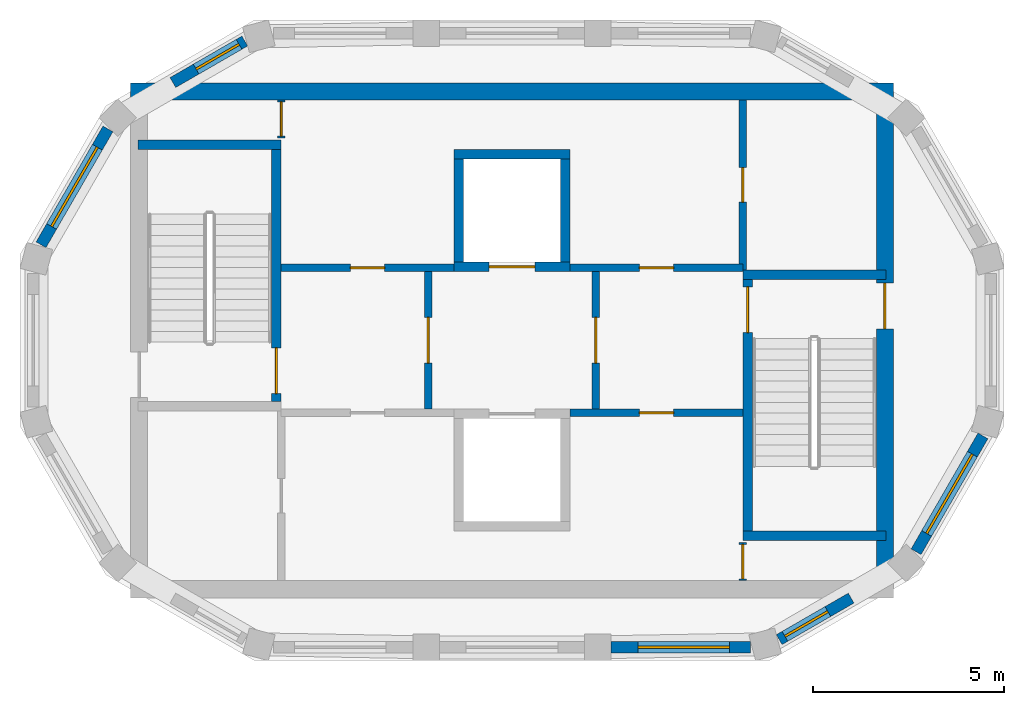
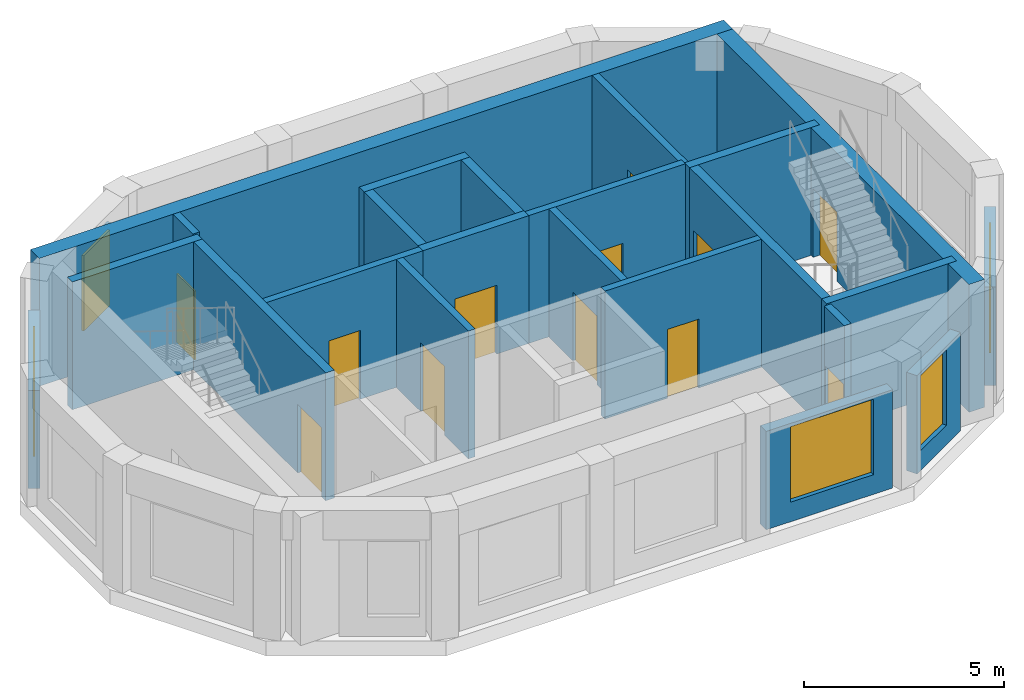
# One storey, part 2 of 4: 24 walls, 12 doors, 5 windows, 17 openings.
"""IFC4 building model written with IfcOpenShell, lengths in metres."""

from ifc_helpers import new_model, si_unit, direction, frame, frame_2d, origin, place, context, subcontext, project, spatial, polyline, rectangle, outline, extrude, material, layer, layer_set, type_object, element, fill, save


model = new_model("IFC4")

# Units and contexts
model_context = context("Model", 3, precision=1e-05, world=origin(), true_north=direction((0.0, 1.0)))
body_context = subcontext(model_context, "Body", "Model", "MODEL_VIEW")
ifc_project = project(units=[si_unit("LENGTHUNIT", "METRE"), si_unit("AREAUNIT", "SQUARE_METRE"), si_unit("VOLUMEUNIT", "CUBIC_METRE"), si_unit("PLANEANGLEUNIT", "RADIAN"), si_unit("MASSUNIT", "GRAM", prefix="KILO")], contexts=[model_context])

# Site, building, storey
site_placement = place(None, origin())
site = spatial("IfcSite", under=ifc_project, at=site_placement, CompositionType="ELEMENT")
building_placement = place(site_placement, origin())
building = spatial("IfcBuilding", under=site, at=building_placement, Name="Dhurran Vertical Campus", CompositionType="ELEMENT")
storey_placement = place(building_placement, frame((0.0, 0.0, 336.89990234375)))
storey = spatial("IfcBuildingStorey", under=building, at=storey_placement, Name="L82 Plant", CompositionType="ELEMENT", Elevation=336.89990234375)

# Wall, opening, window
ifc_material_1 = material(Name="Precast concrete C50/60", Category="concrete")
ifc_layer_1 = layer(ifc_material_1, 0.300048828125)
ifc_layer_set_1 = layer_set([ifc_layer_1], Name="Precast concrete C50/60")
wall_type_1 = type_object("IfcWallType", Name="Precast louvre-bay wall 300", PredefinedType="SOLIDWALL", material=ifc_layer_set_1)
wall_1_placement = place(storey_placement, frame((2.6005859375, -8.047119140625, 0.0), z_axis=(0.0, 0.0, 1.0), x_axis=(1.0, 0.0, 0.0)))
wall_1 = element("IfcWall", 1, at=wall_1_placement, inside=storey, type_object=wall_type_1, Name="EW3 L82.02", PredefinedType="SOLIDWALL", context=body_context, shape_type="SweptSolid", body=[
    extrude(rectangle(XDim=3.65283203125, YDim=0.300048828125, at=frame_2d((1.826416015625, 0.0))), origin(), (0.0, 0.0, 1.0), 3.0),
])
opening_1_placement = place(wall_1_placement, frame((0.699462890625, 0.0, 0.60009765625)))
opening_1 = element("IfcOpeningElement", 2, at=opening_1_placement, cuts=wall_1, Name="Opening WT4", PredefinedType="OPENING", context=body_context, shape_type="SweptSolid", body=[
    extrude(rectangle(XDim=2.39990234375, YDim=2.300048828125, at=frame_2d((1.199951171875, 1.14990234375))), frame((0.0, 0.159912109375, 0.0), z_axis=(0.0, -1.0, 0.0), x_axis=(1.0, 0.0, 0.0)), (0.0, 0.0, 1.0), 0.320068359375),
])
ifc_material_2 = material(Name="Aluminium louvre", Category="aluminium")
window_type_1 = type_object("IfcWindowType", Name="Louvred plant vent 2400 x 2300", PartitioningType="SINGLE_PANEL", PredefinedType="WINDOW", material=ifc_material_2)
window_1_placement = place(opening_1_placement, origin())
window_1 = element("IfcWindow", 3, at=window_1_placement, inside=storey, type_object=window_type_1, Name="WT4 L82.02", OverallHeight=2.300048828125, OverallWidth=2.39990234375, PartitioningType="SINGLE_PANEL", PredefinedType="WINDOW", context=body_context, shape_type="SweptSolid", body=[
    extrude(rectangle(XDim=2.39990234375, YDim=2.300048828125, at=frame_2d((1.199951171875, 1.14990234375))), frame((0.0, 0.030029296875, 0.0), z_axis=(0.0, -1.0, 0.0), x_axis=(1.0, 0.0, 0.0)), (0.0, 0.0, 1.0), 0.06005859375),
])
fill(opening_1, window_1)

wall_2_placement = place(storey_placement, frame((7.0048828125, -7.845703125, 0.0), z_axis=(0.0, 0.0, 1.0), x_axis=(0.866060442015, 0.499939307093, 0.0)))
wall_2 = element("IfcWall", 4, at=wall_2_placement, inside=storey, type_object=wall_type_1, Name="EW3 L82.03", PredefinedType="SOLIDWALL", context=body_context, shape_type="SweptSolid", body=[
    extrude(rectangle(XDim=2.176513671875, YDim=0.300048828125, at=frame_2d((1.08837890625, 0.0))), origin(), (0.0, 0.0, 1.0), 3.0),
])
opening_2_placement = place(wall_2_placement, frame((0.172607421875, 0.0, 0.60009765625)))
opening_2 = element("IfcOpeningElement", 5, at=opening_2_placement, cuts=wall_2, Name="Opening WT4", PredefinedType="OPENING", context=body_context, shape_type="SweptSolid", body=[
    extrude(rectangle(XDim=1.300048828125, YDim=2.300048828125, at=frame_2d((0.64990234375, 1.14990234375))), frame((0.0, 0.159912109375, 0.0), z_axis=(0.0, -1.0, 0.0), x_axis=(1.0, 0.0, 0.0)), (0.0, 0.0, 1.0), 0.320068359375),
])
ifc_material_3 = material(Name="Aluminium louvre", Category="aluminium")
window_type_2 = type_object("IfcWindowType", Name="Louvred plant vent 1300 x 2300", PartitioningType="SINGLE_PANEL", PredefinedType="WINDOW", material=ifc_material_3)
window_2_placement = place(opening_2_placement, origin())
window_2 = element("IfcWindow", 6, at=window_2_placement, inside=storey, type_object=window_type_2, Name="WT4 L82.03", OverallHeight=2.300048828125, OverallWidth=1.300048828125, PartitioningType="SINGLE_PANEL", PredefinedType="WINDOW", context=body_context, shape_type="SweptSolid", body=[
    extrude(rectangle(XDim=1.300048828125, YDim=2.300048828125, at=frame_2d((0.64990234375, 1.14990234375))), frame((0.0, 0.030029296875, 0.0), z_axis=(0.0, -1.0, 0.0), x_axis=(1.0, 0.0, 0.0)), (0.0, 0.0, 1.0), 0.06005859375),
])
fill(opening_2, window_2)

wall_3_placement = place(storey_placement, frame((10.59228515625, -5.5419921875, 0.0), z_axis=(0.0, 0.0, 1.0), x_axis=(0.499987607361, 0.86603255856, 0.0)))
wall_3 = element("IfcWall", 7, at=wall_3_placement, inside=storey, type_object=wall_type_1, Name="EW3 L82.04", PredefinedType="SOLIDWALL", context=body_context, shape_type="SweptSolid", body=[
    extrude(rectangle(XDim=3.5068359375, YDim=0.300048828125, at=frame_2d((1.75341796875, 0.0))), origin(), (0.0, 0.0, 1.0), 3.0),
])
opening_3_placement = place(wall_3_placement, frame((0.553466796875, 0.0, 0.60009765625)))
opening_3 = element("IfcOpeningElement", 8, at=opening_3_placement, cuts=wall_3, Name="Opening WT4", PredefinedType="OPENING", context=body_context, shape_type="SweptSolid", body=[
    extrude(rectangle(XDim=2.39990234375, YDim=2.300048828125, at=frame_2d((1.199951171875, 1.14990234375))), frame((0.0, 0.159912109375, 0.0), z_axis=(0.0, -1.0, 0.0), x_axis=(1.0, 0.0, 0.0)), (0.0, 0.0, 1.0), 0.320068359375),
])
window_3_placement = place(opening_3_placement, origin())
window_3 = element("IfcWindow", 9, at=window_3_placement, inside=storey, type_object=window_type_1, Name="WT4 L82.04", OverallHeight=2.300048828125, OverallWidth=2.39990234375, PartitioningType="SINGLE_PANEL", PredefinedType="WINDOW", context=body_context, shape_type="SweptSolid", body=[
    extrude(rectangle(XDim=2.39990234375, YDim=2.300048828125, at=frame_2d((1.199951171875, 1.14990234375))), frame((0.0, 0.030029296875, 0.0), z_axis=(0.0, -1.0, 0.0), x_axis=(1.0, 0.0, 0.0)), (0.0, 0.0, 1.0), 0.06005859375),
])
fill(opening_3, window_3)

wall_4_placement = place(storey_placement, frame((-7.0048828125, 7.845703125, 0.0), z_axis=(0.0, 0.0, 1.0), x_axis=(-0.866060442015, -0.499939307093, 0.0)))
wall_4 = element("IfcWall", 10, at=wall_4_placement, inside=storey, type_object=wall_type_1, Name="EW3 L82.11", PredefinedType="SOLIDWALL", context=body_context, shape_type="SweptSolid", body=[
    extrude(rectangle(XDim=2.176513671875, YDim=0.300048828125, at=frame_2d((1.08837890625, 0.0))), origin(), (0.0, 0.0, 1.0), 3.0),
])
opening_4_placement = place(wall_4_placement, frame((0.172607421875, 0.0, 0.60009765625)))
opening_4 = element("IfcOpeningElement", 11, at=opening_4_placement, cuts=wall_4, Name="Opening WT4", PredefinedType="OPENING", context=body_context, shape_type="SweptSolid", body=[
    extrude(rectangle(XDim=1.300048828125, YDim=2.300048828125, at=frame_2d((0.64990234375, 1.14990234375))), frame((0.0, 0.159912109375, 0.0), z_axis=(0.0, -1.0, 0.0), x_axis=(1.0, 0.0, 0.0)), (0.0, 0.0, 1.0), 0.320068359375),
])
window_4_placement = place(opening_4_placement, origin())
window_4 = element("IfcWindow", 12, at=window_4_placement, inside=storey, type_object=window_type_2, Name="WT4 L82.11", OverallHeight=2.300048828125, OverallWidth=1.300048828125, PartitioningType="SINGLE_PANEL", PredefinedType="WINDOW", context=body_context, shape_type="SweptSolid", body=[
    extrude(rectangle(XDim=1.300048828125, YDim=2.300048828125, at=frame_2d((0.64990234375, 1.14990234375))), frame((0.0, 0.030029296875, 0.0), z_axis=(0.0, -1.0, 0.0), x_axis=(1.0, 0.0, 0.0)), (0.0, 0.0, 1.0), 0.06005859375),
])
fill(opening_4, window_4)

wall_5_placement = place(storey_placement, frame((-10.59228515625, 5.5419921875, 0.0), z_axis=(0.0, 0.0, 1.0), x_axis=(-0.499987607361, -0.86603255856, 0.0)))
wall_5 = element("IfcWall", 13, at=wall_5_placement, inside=storey, type_object=wall_type_1, Name="EW3 L82.12", PredefinedType="SOLIDWALL", context=body_context, shape_type="SweptSolid", body=[
    extrude(rectangle(XDim=3.5068359375, YDim=0.300048828125, at=frame_2d((1.75341796875, 0.0))), origin(), (0.0, 0.0, 1.0), 3.0),
])
opening_5_placement = place(wall_5_placement, frame((0.553466796875, 0.0, 0.60009765625)))
opening_5 = element("IfcOpeningElement", 14, at=opening_5_placement, cuts=wall_5, Name="Opening WT4", PredefinedType="OPENING", context=body_context, shape_type="SweptSolid", body=[
    extrude(rectangle(XDim=2.39990234375, YDim=2.300048828125, at=frame_2d((1.199951171875, 1.14990234375))), frame((0.0, 0.159912109375, 0.0), z_axis=(0.0, -1.0, 0.0), x_axis=(1.0, 0.0, 0.0)), (0.0, 0.0, 1.0), 0.320068359375),
])
window_5_placement = place(opening_5_placement, origin())
window_5 = element("IfcWindow", 15, at=window_5_placement, inside=storey, type_object=window_type_1, Name="WT4 L82.12", OverallHeight=2.300048828125, OverallWidth=2.39990234375, PartitioningType="SINGLE_PANEL", PredefinedType="WINDOW", context=body_context, shape_type="SweptSolid", body=[
    extrude(rectangle(XDim=2.39990234375, YDim=2.300048828125, at=frame_2d((1.199951171875, 1.14990234375))), frame((0.0, 0.030029296875, 0.0), z_axis=(0.0, -1.0, 0.0), x_axis=(1.0, 0.0, 0.0)), (0.0, 0.0, 1.0), 0.06005859375),
])
fill(opening_5, window_5)

# Wall
ifc_material_4 = material(Name="Concrete C50/60", Category="concrete")
ifc_layer_2 = layer(ifc_material_4, 0.449951171875)
ifc_layer_set_2 = layer_set([ifc_layer_2], Name="Concrete C50/60")
wall_type_2 = type_object("IfcWallType", Name="co-CORE-WALL-C4-450", PredefinedType="SHEAR", material=ifc_layer_set_2)
wall_6_placement = place(storey_placement, frame((-10.0, 6.52490234375, 0.0), z_axis=(0.0, 0.0, 1.0), x_axis=(1.0, 0.0, 0.0)))
element("IfcWall", 16, at=wall_6_placement, inside=storey, type_object=wall_type_2, Name="Core wall N L82", PredefinedType="SHEAR", context=body_context, shape_type="SweptSolid", body=[
    extrude(rectangle(XDim=20.0, YDim=0.449951171875, at=frame_2d((10.0, 0.0))), origin(), (0.0, 0.0, 1.0), 3.900146484375),
])

# Wall, opening, door
wall_7_placement = place(storey_placement, frame((9.77490234375, -6.300048828125, 0.0), z_axis=(0.0, 0.0, 1.0), x_axis=(0.0, 1.0, 0.0)))
wall_7 = element("IfcWall", 17, at=wall_7_placement, inside=storey, type_object=wall_type_2, Name="Core wall E L82", PredefinedType="SHEAR", context=body_context, shape_type="SweptSolid", body=[
    extrude(rectangle(XDim=12.60009765625, YDim=0.449951171875, at=frame_2d((6.300048828125, 0.0))), origin(), (0.0, 0.0, 1.0), 3.900146484375),
])
opening_6_placement = place(wall_7_placement, frame((6.60009765625, 0.0, 0.0)))
opening_6 = element("IfcOpeningElement", 18, at=opening_6_placement, cuts=wall_7, Name="Opening XD6", PredefinedType="OPENING", context=body_context, shape_type="SweptSolid", body=[
    extrude(rectangle(XDim=1.199951171875, YDim=2.10009765625, at=frame_2d((0.60009765625, 1.050048828125))), frame((0.0, 0.23486328125, 0.0), z_axis=(0.0, -1.0, 0.0), x_axis=(1.0, 0.0, 0.0)), (0.0, 0.0, 1.0), 0.469970703125),
])
ifc_material_5 = material(Name="Fire-rated steel door set", Category="steel")
door_type_1 = type_object("IfcDoorType", Name="co-D-STAIR-EXIT 1200x2100", OperationType="SINGLE_SWING_RIGHT", PredefinedType="DOOR", material=ifc_material_5)
door_1_placement = place(opening_6_placement, origin())
door_1 = element("IfcDoor", 19, at=door_1_placement, inside=storey, type_object=door_type_1, Name="Stair ST6 exit door L82", OperationType="SINGLE_SWING_RIGHT", OverallHeight=2.10009765625, OverallWidth=1.199951171875, PredefinedType="DOOR", context=body_context, shape_type="SweptSolid", body=[
    extrude(rectangle(XDim=1.199951171875, YDim=2.10009765625, at=frame_2d((0.60009765625, 1.050048828125))), frame((0.0, 0.02490234375, 0.0), z_axis=(0.0, -1.0, 0.0), x_axis=(1.0, 0.0, 0.0)), (0.0, 0.0, 1.0), 0.050048828125),
])
fill(opening_6, door_1)

ifc_material_6 = material(Name="Fire-rated masonry blockwork", Category="masonry")
ifc_layer_3 = layer(ifc_material_6, 0.199951171875)
ifc_layer_set_3 = layer_set([ifc_layer_3], Name="Fire-rated masonry blockwork")
wall_type_3 = type_object("IfcWallType", Name="co-FIRE-PARTITION-200", PredefinedType="PARTITIONING", material=ifc_layer_set_3)
wall_8_placement = place(storey_placement, frame((-2.199951171875, -1.800048828125, 0.0), z_axis=(0.0, 0.0, 1.0), x_axis=(0.0, 1.0, 0.0)))
wall_8 = element("IfcWall", 20, at=wall_8_placement, inside=storey, type_object=wall_type_3, Name="Firefighting lobby wall W L82", PredefinedType="PARTITIONING", context=body_context, shape_type="SweptSolid", body=[
    extrude(rectangle(XDim=3.60009765625, YDim=0.199951171875, at=frame_2d((1.800048828125, 0.0))), origin(), (0.0, 0.0, 1.0), 3.900146484375),
])
opening_7_placement = place(wall_8_placement, frame((1.199951171875, 0.0, 0.0)))
opening_7 = element("IfcOpeningElement", 21, at=opening_7_placement, cuts=wall_8, Name="Opening FL1", PredefinedType="OPENING", context=body_context, shape_type="SweptSolid", body=[
    extrude(rectangle(XDim=1.199951171875, YDim=2.10009765625, at=frame_2d((0.60009765625, 1.050048828125))), frame((0.0, 0.10986328125, 0.0), z_axis=(0.0, -1.0, 0.0), x_axis=(1.0, 0.0, 0.0)), (0.0, 0.0, 1.0), 0.219970703125),
])
ifc_material_7 = material(Name="Fire-rated steel door set", Category="steel")
door_type_2 = type_object("IfcDoorType", Name="co-D-FFLOBBY 1200x2100", OperationType="SINGLE_SWING_LEFT", PredefinedType="DOOR", material=ifc_material_7)
door_2_placement = place(opening_7_placement, origin())
door_2 = element("IfcDoor", 22, at=door_2_placement, inside=storey, type_object=door_type_2, Name="Firefighting lobby door W L82", OperationType="SINGLE_SWING_LEFT", OverallHeight=2.10009765625, OverallWidth=1.199951171875, PredefinedType="DOOR", context=body_context, shape_type="SweptSolid", body=[
    extrude(rectangle(XDim=1.199951171875, YDim=2.10009765625, at=frame_2d((0.60009765625, 1.050048828125))), frame((0.0, 0.02490234375, 0.0), z_axis=(0.0, -1.0, 0.0), x_axis=(1.0, 0.0, 0.0)), (0.0, 0.0, 1.0), 0.050048828125),
])
fill(opening_7, door_2)

wall_9_placement = place(storey_placement, frame((2.199951171875, -1.800048828125, 0.0), z_axis=(0.0, 0.0, 1.0), x_axis=(0.0, 1.0, 0.0)))
wall_9 = element("IfcWall", 23, at=wall_9_placement, inside=storey, type_object=wall_type_3, Name="Firefighting lobby wall E L82", PredefinedType="PARTITIONING", context=body_context, shape_type="SweptSolid", body=[
    extrude(rectangle(XDim=3.60009765625, YDim=0.199951171875, at=frame_2d((1.800048828125, 0.0))), origin(), (0.0, 0.0, 1.0), 3.900146484375),
])
opening_8_placement = place(wall_9_placement, frame((1.199951171875, 0.0, 0.0)))
opening_8 = element("IfcOpeningElement", 24, at=opening_8_placement, cuts=wall_9, Name="Opening FL2", PredefinedType="OPENING", context=body_context, shape_type="SweptSolid", body=[
    extrude(rectangle(XDim=1.199951171875, YDim=2.10009765625, at=frame_2d((0.60009765625, 1.050048828125))), frame((0.0, 0.10986328125, 0.0), z_axis=(0.0, -1.0, 0.0), x_axis=(1.0, 0.0, 0.0)), (0.0, 0.0, 1.0), 0.219970703125),
])
door_3_placement = place(opening_8_placement, origin())
door_3 = element("IfcDoor", 25, at=door_3_placement, inside=storey, type_object=door_type_2, Name="Firefighting lobby door E L82", OperationType="SINGLE_SWING_LEFT", OverallHeight=2.10009765625, OverallWidth=1.199951171875, PredefinedType="DOOR", context=body_context, shape_type="SweptSolid", body=[
    extrude(rectangle(XDim=1.199951171875, YDim=2.10009765625, at=frame_2d((0.60009765625, 1.050048828125))), frame((0.0, 0.02490234375, 0.0), z_axis=(0.0, -1.0, 0.0), x_axis=(1.0, 0.0, 0.0)), (0.0, 0.0, 1.0), 0.050048828125),
])
fill(opening_8, door_3)

wall_10_placement = place(storey_placement, frame((-6.050048828125, 1.89990234375, 0.0), z_axis=(0.0, 0.0, 1.0), x_axis=(1.0, 0.0, 0.0)))
wall_10 = element("IfcWall", 26, at=wall_10_placement, inside=storey, type_object=wall_type_3, Name="Core partition nwa-f L82", PredefinedType="PARTITIONING", context=body_context, shape_type="SweptSolid", body=[
    extrude(rectangle(XDim=4.525146484375, YDim=0.199951171875, at=frame_2d((2.2626953125, 0.0))), origin(), (0.0, 0.0, 1.0), 3.900146484375),
])
opening_9_placement = place(wall_10_placement, frame((1.8125, 0.0, 0.0)))
opening_9 = element("IfcOpeningElement", 27, at=opening_9_placement, cuts=wall_10, Name="Opening CR82-C1", PredefinedType="OPENING", context=body_context, shape_type="SweptSolid", body=[
    extrude(rectangle(XDim=0.89990234375, YDim=2.10009765625, at=frame_2d((0.449951171875, 1.050048828125))), frame((0.0, 0.10986328125, 0.0), z_axis=(0.0, -1.0, 0.0), x_axis=(1.0, 0.0, 0.0)), (0.0, 0.0, 1.0), 0.219970703125),
])
ifc_material_8 = material(Name="Fire-rated timber door set", Category="wood")
door_type_3 = type_object("IfcDoorType", Name="co-D-ROOM 900x2100", OperationType="SINGLE_SWING_LEFT", PredefinedType="DOOR", material=ifc_material_8)
door_4_placement = place(opening_9_placement, origin())
door_4 = element("IfcDoor", 28, at=door_4_placement, inside=storey, type_object=door_type_3, Name="nwa door L82", OperationType="SINGLE_SWING_LEFT", OverallHeight=2.10009765625, OverallWidth=0.89990234375, PredefinedType="DOOR", context=body_context, shape_type="SweptSolid", body=[
    extrude(rectangle(XDim=0.89990234375, YDim=2.10009765625, at=frame_2d((0.449951171875, 1.050048828125))), frame((0.0, 0.02490234375, 0.0), z_axis=(0.0, -1.0, 0.0), x_axis=(1.0, 0.0, 0.0)), (0.0, 0.0, 1.0), 0.050048828125),
])
fill(opening_9, door_4)

wall_11_placement = place(storey_placement, frame((1.52490234375, 1.89990234375, 0.0), z_axis=(0.0, 0.0, 1.0), x_axis=(1.0, 0.0, 0.0)))
wall_11 = element("IfcWall", 29, at=wall_11_placement, inside=storey, type_object=wall_type_3, Name="Core partition nea-f L82", PredefinedType="PARTITIONING", context=body_context, shape_type="SweptSolid", body=[
    extrude(rectangle(XDim=4.525146484375, YDim=0.199951171875, at=frame_2d((2.2626953125, 0.0))), origin(), (0.0, 0.0, 1.0), 3.900146484375),
])
opening_10_placement = place(wall_11_placement, frame((1.8125, 0.0, 0.0)))
opening_10 = element("IfcOpeningElement", 30, at=opening_10_placement, cuts=wall_11, Name="Opening CR82-C3", PredefinedType="OPENING", context=body_context, shape_type="SweptSolid", body=[
    extrude(rectangle(XDim=0.89990234375, YDim=2.10009765625, at=frame_2d((0.449951171875, 1.050048828125))), frame((0.0, 0.10986328125, 0.0), z_axis=(0.0, -1.0, 0.0), x_axis=(1.0, 0.0, 0.0)), (0.0, 0.0, 1.0), 0.219970703125),
])
door_5_placement = place(opening_10_placement, origin())
door_5 = element("IfcDoor", 31, at=door_5_placement, inside=storey, type_object=door_type_3, Name="nea door L82", OperationType="SINGLE_SWING_LEFT", OverallHeight=2.10009765625, OverallWidth=0.89990234375, PredefinedType="DOOR", context=body_context, shape_type="SweptSolid", body=[
    extrude(rectangle(XDim=0.89990234375, YDim=2.10009765625, at=frame_2d((0.449951171875, 1.050048828125))), frame((0.0, 0.02490234375, 0.0), z_axis=(0.0, -1.0, 0.0), x_axis=(1.0, 0.0, 0.0)), (0.0, 0.0, 1.0), 0.050048828125),
])
fill(opening_10, door_5)

wall_12_placement = place(storey_placement, frame((1.52490234375, -1.89990234375, 0.0), z_axis=(0.0, 0.0, 1.0), x_axis=(1.0, 0.0, 0.0)))
wall_12 = element("IfcWall", 32, at=wall_12_placement, inside=storey, type_object=wall_type_3, Name="Core partition sea-f L82", PredefinedType="PARTITIONING", context=body_context, shape_type="SweptSolid", body=[
    extrude(rectangle(XDim=4.525146484375, YDim=0.199951171875, at=frame_2d((2.2626953125, 0.0))), origin(), (0.0, 0.0, 1.0), 3.900146484375),
])
opening_11_placement = place(wall_12_placement, frame((1.8125, 0.0, 0.0)))
opening_11 = element("IfcOpeningElement", 33, at=opening_11_placement, cuts=wall_12, Name="Opening CR82-C4", PredefinedType="OPENING", context=body_context, shape_type="SweptSolid", body=[
    extrude(rectangle(XDim=0.89990234375, YDim=2.10009765625, at=frame_2d((0.449951171875, 1.050048828125))), frame((0.0, 0.10986328125, 0.0), z_axis=(0.0, -1.0, 0.0), x_axis=(1.0, 0.0, 0.0)), (0.0, 0.0, 1.0), 0.219970703125),
])
door_6_placement = place(opening_11_placement, origin())
door_6 = element("IfcDoor", 34, at=door_6_placement, inside=storey, type_object=door_type_3, Name="sea door L82", OperationType="SINGLE_SWING_LEFT", OverallHeight=2.10009765625, OverallWidth=0.89990234375, PredefinedType="DOOR", context=body_context, shape_type="SweptSolid", body=[
    extrude(rectangle(XDim=0.89990234375, YDim=2.10009765625, at=frame_2d((0.449951171875, 1.050048828125))), frame((0.0, 0.02490234375, 0.0), z_axis=(0.0, -1.0, 0.0), x_axis=(1.0, 0.0, 0.0)), (0.0, 0.0, 1.0), 0.050048828125),
])
fill(opening_11, door_6)

wall_13_placement = place(storey_placement, frame((-6.050048828125, 5.300048828125, 0.0), z_axis=(0.0, 0.0, 1.0), x_axis=(0.0, 1.0, 0.0)))
wall_13 = element("IfcWall", 35, at=wall_13_placement, inside=storey, type_object=wall_type_3, Name="Core partition bwn-d L82", PredefinedType="PARTITIONING", context=body_context, shape_type="SweptSolid", body=[
    extrude(rectangle(XDim=1.0, YDim=0.199951171875, at=frame_2d((0.5, 0.0))), origin(), (0.0, 0.0, 1.0), 3.900146484375),
])
opening_12_placement = place(wall_13_placement, frame((0.050048828125, 0.0, 0.0)))
opening_12 = element("IfcOpeningElement", 36, at=opening_12_placement, cuts=wall_13, Name="Opening CR82-C5", PredefinedType="OPENING", context=body_context, shape_type="SweptSolid", body=[
    extrude(rectangle(XDim=0.89990234375, YDim=2.10009765625, at=frame_2d((0.449951171875, 1.050048828125))), frame((0.0, 0.10986328125, 0.0), z_axis=(0.0, -1.0, 0.0), x_axis=(1.0, 0.0, 0.0)), (0.0, 0.0, 1.0), 0.219970703125),
])
door_7_placement = place(opening_12_placement, origin())
door_7 = element("IfcDoor", 37, at=door_7_placement, inside=storey, type_object=door_type_3, Name="Plant room door L82", OperationType="SINGLE_SWING_LEFT", OverallHeight=2.10009765625, OverallWidth=0.89990234375, PredefinedType="DOOR", context=body_context, shape_type="SweptSolid", body=[
    extrude(rectangle(XDim=0.89990234375, YDim=2.10009765625, at=frame_2d((0.449951171875, 1.050048828125))), frame((0.0, 0.02490234375, 0.0), z_axis=(0.0, -1.0, 0.0), x_axis=(1.0, 0.0, 0.0)), (0.0, 0.0, 1.0), 0.050048828125),
])
fill(opening_12, door_7)

wall_14_placement = place(storey_placement, frame((6.050048828125, 1.85009765625, 0.0), z_axis=(0.0, 0.0, 1.0), x_axis=(0.0, 1.0, 0.0)))
wall_14 = element("IfcWall", 38, at=wall_14_placement, inside=storey, type_object=wall_type_3, Name="Core partition ben-d L82", PredefinedType="PARTITIONING", context=body_context, shape_type="SweptSolid", body=[
    extrude(rectangle(XDim=4.449951171875, YDim=0.199951171875, at=frame_2d((2.22509765625, 0.0))), origin(), (0.0, 0.0, 1.0), 3.900146484375),
])
opening_13_placement = place(wall_14_placement, frame((1.77490234375, 0.0, 0.0)))
opening_13 = element("IfcOpeningElement", 39, at=opening_13_placement, cuts=wall_14, Name="Opening CR82-C7", PredefinedType="OPENING", context=body_context, shape_type="SweptSolid", body=[
    extrude(rectangle(XDim=0.89990234375, YDim=2.10009765625, at=frame_2d((0.449951171875, 1.050048828125))), frame((0.0, 0.10986328125, 0.0), z_axis=(0.0, -1.0, 0.0), x_axis=(1.0, 0.0, 0.0)), (0.0, 0.0, 1.0), 0.219970703125),
])
door_8_placement = place(opening_13_placement, origin())
door_8 = element("IfcDoor", 40, at=door_8_placement, inside=storey, type_object=door_type_3, Name="Plant room door L82", OperationType="SINGLE_SWING_LEFT", OverallHeight=2.10009765625, OverallWidth=0.89990234375, PredefinedType="DOOR", context=body_context, shape_type="SweptSolid", body=[
    extrude(rectangle(XDim=0.89990234375, YDim=2.10009765625, at=frame_2d((0.449951171875, 1.050048828125))), frame((0.0, 0.02490234375, 0.0), z_axis=(0.0, -1.0, 0.0), x_axis=(1.0, 0.0, 0.0)), (0.0, 0.0, 1.0), 0.050048828125),
])
fill(opening_13, door_8)

wall_15_placement = place(storey_placement, frame((6.050048828125, -6.300048828125, 0.0), z_axis=(0.0, 0.0, 1.0), x_axis=(0.0, 1.0, 0.0)))
wall_15 = element("IfcWall", 41, at=wall_15_placement, inside=storey, type_object=wall_type_3, Name="Core partition bes-d L82", PredefinedType="PARTITIONING", context=body_context, shape_type="SweptSolid", body=[
    extrude(rectangle(XDim=1.0, YDim=0.199951171875, at=frame_2d((0.5, 0.0))), origin(), (0.0, 0.0, 1.0), 3.900146484375),
])
opening_14_placement = place(wall_15_placement, frame((0.050048828125, 0.0, 0.0)))
opening_14 = element("IfcOpeningElement", 42, at=opening_14_placement, cuts=wall_15, Name="Opening CR82-C8", PredefinedType="OPENING", context=body_context, shape_type="SweptSolid", body=[
    extrude(rectangle(XDim=0.89990234375, YDim=2.10009765625, at=frame_2d((0.449951171875, 1.050048828125))), frame((0.0, 0.10986328125, 0.0), z_axis=(0.0, -1.0, 0.0), x_axis=(1.0, 0.0, 0.0)), (0.0, 0.0, 1.0), 0.219970703125),
])
door_9_placement = place(opening_14_placement, origin())
door_9 = element("IfcDoor", 43, at=door_9_placement, inside=storey, type_object=door_type_3, Name="Plant room door L82", OperationType="SINGLE_SWING_LEFT", OverallHeight=2.10009765625, OverallWidth=0.89990234375, PredefinedType="DOOR", context=body_context, shape_type="SweptSolid", body=[
    extrude(rectangle(XDim=0.89990234375, YDim=2.10009765625, at=frame_2d((0.449951171875, 1.050048828125))), frame((0.0, 0.02490234375, 0.0), z_axis=(0.0, -1.0, 0.0), x_axis=(1.0, 0.0, 0.0)), (0.0, 0.0, 1.0), 0.050048828125),
])
fill(opening_14, door_9)

ifc_material_9 = material(Name="Concrete C50/60", Category="concrete")
ifc_layer_4 = layer(ifc_material_9, 0.25)
ifc_layer_set_4 = layer_set([ifc_layer_4], Name="Concrete C50/60")
wall_type_4 = type_object("IfcWallType", Name="co-SHAFT-FRONT-250", PredefinedType="SHEAR", material=ifc_layer_set_4)
wall_16_placement = place(storey_placement, frame((-1.52490234375, 1.925048828125, 0.0), z_axis=(0.0, 0.0, 1.0), x_axis=(1.0, 0.0, 0.0)))
wall_16 = element("IfcWall", 44, at=wall_16_placement, inside=storey, type_object=wall_type_4, Name="Lift landing wall N L82", PredefinedType="SHEAR", context=body_context, shape_type="SweptSolid", body=[
    extrude(rectangle(XDim=3.0498046875, YDim=0.25, at=frame_2d((1.52490234375, 0.0))), origin(), (0.0, 0.0, 1.0), 3.900146484375),
])
opening_15_placement = place(wall_16_placement, frame((0.925048828125, 0.0, 0.0)))
opening_15 = element("IfcOpeningElement", 45, at=opening_15_placement, cuts=wall_16, Name="Opening LD", PredefinedType="OPENING", context=body_context, shape_type="SweptSolid", body=[
    extrude(rectangle(XDim=1.199951171875, YDim=2.10009765625, at=frame_2d((0.60009765625, 1.050048828125))), frame((0.0, 0.135009765625, 0.0), z_axis=(0.0, -1.0, 0.0), x_axis=(1.0, 0.0, 0.0)), (0.0, 0.0, 1.0), 0.27001953125),
])
ifc_material_10 = material(Name="Stainless steel landing door", Category="steel")
door_type_4 = type_object("IfcDoorType", Name="co-D-LANDING 1200x2100", OperationType="DOUBLE_DOOR_SLIDING", PredefinedType="DOOR", material=ifc_material_10)
door_10_placement = place(opening_15_placement, origin())
door_10 = element("IfcDoor", 46, at=door_10_placement, inside=storey, type_object=door_type_4, Name="Landing door FF1 L82", OperationType="DOUBLE_DOOR_SLIDING", OverallHeight=2.10009765625, OverallWidth=1.199951171875, PredefinedType="DOOR", context=body_context, shape_type="SweptSolid", body=[
    extrude(rectangle(XDim=1.199951171875, YDim=2.10009765625, at=frame_2d((0.60009765625, 1.050048828125))), frame((0.0, 0.02490234375, 0.0), z_axis=(0.0, -1.0, 0.0), x_axis=(1.0, 0.0, 0.0)), (0.0, 0.0, 1.0), 0.050048828125),
])
fill(opening_15, door_10)

# Walls
ifc_material_11 = material(Name="Concrete C50/60", Category="concrete")
ifc_layer_5 = layer(ifc_material_11, 0.25)
ifc_layer_set_5 = layer_set([ifc_layer_5], Name="Concrete C50/60")
wall_type_5 = type_object("IfcWallType", Name="co-SHAFT-MASS-250", PredefinedType="SHEAR", material=ifc_layer_set_5)
wall_17_placement = place(storey_placement, origin())
element("IfcWall", 47, at=wall_17_placement, inside=storey, type_object=wall_type_5, Name="Lift shaft wall N L82 1", PredefinedType="SHEAR", context=body_context, shape_type="SweptSolid", body=[
    extrude(outline(polyline([(-1.52490234375, 4.75), (1.52490234375, 4.75), (1.52490234375, 5.0), (-1.52490234375, 5.0), (-1.52490234375, 4.75)])), origin(), (0.0, 0.0, 1.0), 3.900146484375),
])
wall_18_placement = place(storey_placement, origin())
element("IfcWall", 48, at=wall_18_placement, inside=storey, type_object=wall_type_5, Name="Lift shaft wall N L82 2", PredefinedType="SHEAR", context=body_context, shape_type="SweptSolid", body=[
    extrude(outline(polyline([(-1.52490234375, 2.050048828125), (-1.27490234375, 2.050048828125), (-1.27490234375, 4.75), (-1.52490234375, 4.75), (-1.52490234375, 2.050048828125)])), origin(), (0.0, 0.0, 1.0), 3.900146484375),
])
wall_19_placement = place(storey_placement, origin())
element("IfcWall", 49, at=wall_19_placement, inside=storey, type_object=wall_type_5, Name="Lift shaft wall N L82 3", PredefinedType="SHEAR", context=body_context, shape_type="SweptSolid", body=[
    extrude(outline(polyline([(1.27490234375, 2.050048828125), (1.52490234375, 2.050048828125), (1.52490234375, 4.75), (1.27490234375, 4.75), (1.27490234375, 2.050048828125)])), origin(), (0.0, 0.0, 1.0), 3.900146484375),
])
ifc_material_12 = material(Name="Concrete C40/50", Category="concrete")
ifc_layer_6 = layer(ifc_material_12, 0.25)
ifc_layer_set_6 = layer_set([ifc_layer_6], Name="Concrete C40/50")
wall_type_6 = type_object("IfcWallType", Name="co-STAIR-WALL-250", PredefinedType="SHEAR", material=ifc_layer_set_6)
wall_20_placement = place(storey_placement, frame((-9.800048828125, 5.125, 0.0), z_axis=(0.0, 0.0, 1.0), x_axis=(1.0, 0.0, 0.0)))
element("IfcWall", 50, at=wall_20_placement, inside=storey, type_object=wall_type_6, Name="Stair ST5 enclosure wall L82", PredefinedType="SHEAR", context=body_context, shape_type="SweptSolid", body=[
    extrude(rectangle(XDim=3.75, YDim=0.25, at=frame_2d((1.875, 0.0))), origin(), (0.0, 0.0, 1.0), 3.900146484375),
])

# Wall, opening, door
wall_21_placement = place(storey_placement, frame((-6.175048828125, -1.60009765625, 0.0), z_axis=(0.0, 0.0, 1.0), x_axis=(0.0, 1.0, 0.0)))
wall_21 = element("IfcWall", 51, at=wall_21_placement, inside=storey, type_object=wall_type_6, Name="Stair ST5 enclosure wall L82", PredefinedType="SHEAR", context=body_context, shape_type="SweptSolid", body=[
    extrude(rectangle(XDim=6.60009765625, YDim=0.25, at=frame_2d((3.300048828125, 0.0))), origin(), (0.0, 0.0, 1.0), 3.900146484375),
])
opening_16_placement = place(wall_21_placement, frame((0.199951171875, 0.0, 0.0)))
opening_16 = element("IfcOpeningElement", 52, at=opening_16_placement, cuts=wall_21, Name="Opening SD5", PredefinedType="OPENING", context=body_context, shape_type="SweptSolid", body=[
    extrude(rectangle(XDim=1.199951171875, YDim=2.10009765625, at=frame_2d((0.60009765625, 1.050048828125))), frame((0.0, 0.135009765625, 0.0), z_axis=(0.0, -1.0, 0.0), x_axis=(1.0, 0.0, 0.0)), (0.0, 0.0, 1.0), 0.27001953125),
])
ifc_material_13 = material(Name="Fire-rated steel door set", Category="steel")
door_type_5 = type_object("IfcDoorType", Name="co-D-STAIR 1200x2100", OperationType="SINGLE_SWING_LEFT", PredefinedType="DOOR", material=ifc_material_13)
door_11_placement = place(opening_16_placement, origin())
door_11 = element("IfcDoor", 53, at=door_11_placement, inside=storey, type_object=door_type_5, Name="Stair ST5 door L82", OperationType="SINGLE_SWING_LEFT", OverallHeight=2.10009765625, OverallWidth=1.199951171875, PredefinedType="DOOR", context=body_context, shape_type="SweptSolid", body=[
    extrude(rectangle(XDim=1.199951171875, YDim=2.10009765625, at=frame_2d((0.60009765625, 1.050048828125))), frame((0.0, 0.02490234375, 0.0), z_axis=(0.0, -1.0, 0.0), x_axis=(1.0, 0.0, 0.0)), (0.0, 0.0, 1.0), 0.050048828125),
])
fill(opening_16, door_11)

# Walls
for number, where, z_axis, x_axis, name in (
    (54, (6.050048828125, -5.125, 0.0), (0.0, 0.0, 1.0), (1.0, 0.0, 0.0), "Stair ST6 enclosure wall L82"),
    (55, (6.050048828125, 1.72509765625, 0.0), (0.0, 0.0, 1.0), (1.0, 0.0, 0.0), "Stair ST6 enclosure wall L82"),
):
    element("IfcWall", number, at=place(storey_placement, frame(where, z_axis=z_axis, x_axis=x_axis)), inside=storey, type_object=wall_type_6, Name=name, PredefinedType="SHEAR", context=body_context, shape_type="SweptSolid", body=[
        extrude(rectangle(XDim=3.75, YDim=0.25, at=frame_2d((1.875, 0.0))), origin(), (0.0, 0.0, 1.0), 3.900146484375),
    ])

# Wall, opening, door
wall_22_placement = place(storey_placement, frame((6.175048828125, -5.0, 0.0), z_axis=(0.0, 0.0, 1.0), x_axis=(0.0, 1.0, 0.0)))
wall_22 = element("IfcWall", 56, at=wall_22_placement, inside=storey, type_object=wall_type_6, Name="Stair ST6 enclosure wall L82", PredefinedType="SHEAR", context=body_context, shape_type="SweptSolid", body=[
    extrude(rectangle(XDim=6.60009765625, YDim=0.25, at=frame_2d((3.300048828125, 0.0))), origin(), (0.0, 0.0, 1.0), 3.900146484375),
])
opening_17_placement = place(wall_22_placement, frame((5.199951171875, 0.0, 0.0)))
opening_17 = element("IfcOpeningElement", 57, at=opening_17_placement, cuts=wall_22, Name="Opening SD6", PredefinedType="OPENING", context=body_context, shape_type="SweptSolid", body=[
    extrude(rectangle(XDim=1.199951171875, YDim=2.10009765625, at=frame_2d((0.60009765625, 1.050048828125))), frame((0.0, 0.135009765625, 0.0), z_axis=(0.0, -1.0, 0.0), x_axis=(1.0, 0.0, 0.0)), (0.0, 0.0, 1.0), 0.27001953125),
])
door_12_placement = place(opening_17_placement, origin())
door_12 = element("IfcDoor", 58, at=door_12_placement, inside=storey, type_object=door_type_5, Name="Stair ST6 door L82", OperationType="SINGLE_SWING_LEFT", OverallHeight=2.10009765625, OverallWidth=1.199951171875, PredefinedType="DOOR", context=body_context, shape_type="SweptSolid", body=[
    extrude(rectangle(XDim=1.199951171875, YDim=2.10009765625, at=frame_2d((0.60009765625, 1.050048828125))), frame((0.0, 0.02490234375, 0.0), z_axis=(0.0, -1.0, 0.0), x_axis=(1.0, 0.0, 0.0)), (0.0, 0.0, 1.0), 0.050048828125),
])
fill(opening_17, door_12)

save(model, "model.ifc")
